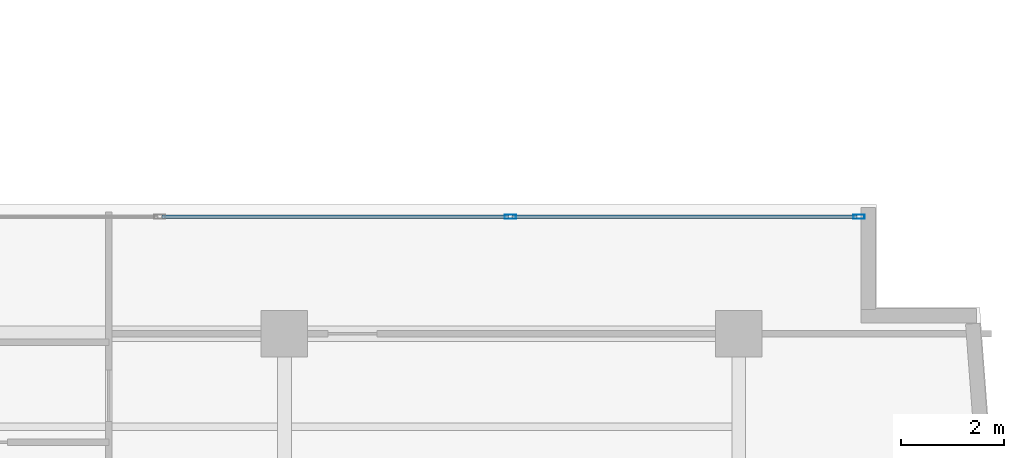
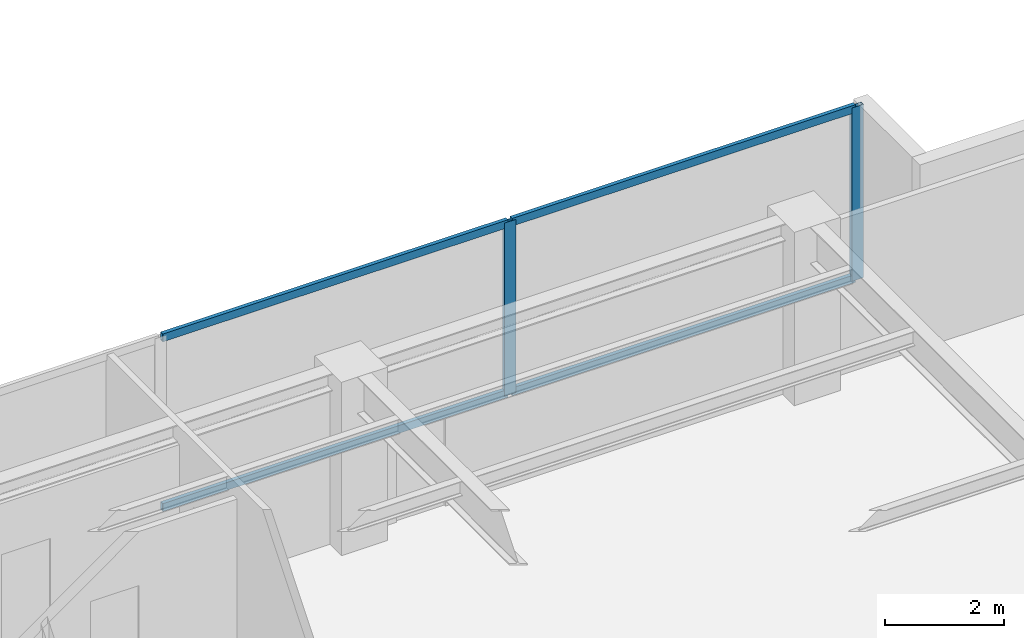
# One storey, part 12 of 23: 6 members, 1 element without a shape of its own.
"""IFC4 building model written with IfcOpenShell, lengths in metres."""

from ifc_helpers import new_model, si_unit, direction, frame, origin, origin_with_axes, origin_2d, place, context, subcontext, project, spatial, hollow_rectangle, extrude, source, transform, mapped, material, layer, layer_set, material_profile, profile_set, type_object, element, aggregate, save


model = new_model("IFC4")

# Units and contexts
model_context = context("Model", 3, precision=1e-05, world=origin(), true_north=direction((0.0, 1.0)))
body_context = subcontext(model_context, "Body", "Model", "MODEL_VIEW")
ifc_project = project(units=[si_unit("LENGTHUNIT", "METRE"), si_unit("AREAUNIT", "SQUARE_METRE"), si_unit("VOLUMEUNIT", "CUBIC_METRE"), si_unit("PLANEANGLEUNIT", "RADIAN"), si_unit("MASSUNIT", "GRAM", prefix="KILO")], contexts=[model_context])

# Site, building, storey
site_placement = place(None, origin())
site = spatial("IfcSite", under=ifc_project, at=site_placement, CompositionType="ELEMENT")
building_placement = place(site_placement, origin())
building = spatial("IfcBuilding", under=site, at=building_placement, Name="Kolvaren Waterfront Exchange", CompositionType="ELEMENT")
storey_placement = place(building_placement, frame((0.0, 0.0, 297.0)))
storey = spatial("IfcBuildingStorey", under=building, at=storey_placement, Name="L76", CompositionType="ELEMENT", Elevation=297.0)

# Curtain wall, members
ifc_material_1 = material(Name="Anodised bronze aluminium 6063-T6", Category="aluminium")
ifc_layer = layer(ifc_material_1, 0.219970703125, Name="Anodised bronze aluminium 6063-T6")
ifc_layer_set = layer_set([ifc_layer], Name="Anodised bronze aluminium 6063-T6")
curtain_wall_type = type_object("IfcCurtainWallType", Name="ARC-CW-SYS1", PredefinedType="USERDEFINED", material=ifc_layer_set)
curtain_wall_placement = place(storey_placement, origin())
curtain_wall = element("IfcCurtainWall", 1, at=curtain_wall_placement, inside=storey, type_object=curtain_wall_type, Name="L76 stick curtain wall CW1 (CW-L76-EN)", ObjectType="STICK CURTAIN WALL", PredefinedType="USERDEFINED")
ifc_material_2 = material(Name="Anodised aluminium 6063-T6", Category="aluminium")
ifc_material_profile_1 = material_profile(ifc_material_2, hollow_rectangle(XDim=0.080078125, YDim=0.219970703125, WallThickness=0.0048828125, at=origin_2d()), Name="ALU-MUL-220x80x5")
ifc_profile_set_1 = profile_set([ifc_material_profile_1], Name="Anodised aluminium 6063-T6")
member_type_1 = type_object("IfcMemberType", Name="ARC-CWM-220", PredefinedType="MULLION", material=ifc_profile_set_1)
shared_shape_1 = source(origin_with_axes(), body_context, "Body", "SweptSolid", [
    extrude(hollow_rectangle(XDim=0.080078125, YDim=0.219970703125, WallThickness=0.0048828125, at=origin_2d()), origin(), (0.0, 0.0, 1.0), 3.56005859375),
])
member_1_placement = place(storey_placement, frame((41.17724609375, 19.665283203125, 0.0), z_axis=(0.0, 0.0, 1.0), x_axis=(0.0, 1.0, 0.0)))
member_1 = element("IfcMember", 2, at=member_1_placement, type_object=member_type_1, Name="CW1 mullion 3", PredefinedType="MULLION", context=body_context, shape_type="MappedRepresentation", body=[
    mapped(shared_shape_1, transform((0.0, 0.0, 0.0), x_axis=(1.0, 0.0, 0.0), y_axis=(0.0, 1.0, 0.0), z_axis=(0.0, 0.0, 1.0), scale=1.0)),
])
member_2_placement = place(storey_placement, frame((47.928466796875, 19.665283203125, 0.0), z_axis=(0.0, 0.0, 1.0), x_axis=(0.0, 1.0, 0.0)))
member_2 = element("IfcMember", 3, at=member_2_placement, type_object=member_type_1, Name="CW1 mullion 4", PredefinedType="MULLION", context=body_context, shape_type="MappedRepresentation", body=[
    mapped(shared_shape_1, transform((0.0, 0.0, 0.0), x_axis=(1.0, 0.0, 0.0), y_axis=(0.0, 1.0, 0.0), z_axis=(0.0, 0.0, 1.0), scale=1.0)),
])
ifc_material_profile_2 = material_profile(ifc_material_2, hollow_rectangle(XDim=0.074951171875, YDim=0.159912109375, WallThickness=0.00439453125, at=origin_2d()), Name="ALU-TRN-160x75x4.5")
ifc_profile_set_2 = profile_set([ifc_material_profile_2], Name="Anodised aluminium 6063-T6")
member_type_2 = type_object("IfcMemberType", Name="ARC-CWT-160", PredefinedType="USERDEFINED", material=ifc_profile_set_2)
shared_shape_2 = source(origin_with_axes(), body_context, "Body", "SweptSolid", [
    extrude(hollow_rectangle(XDim=0.074951171875, YDim=0.159912109375, WallThickness=0.00439453125, at=origin_2d()), origin(), (0.0, 0.0, 1.0), 6.671142578125),
])
member_3_placement = place(storey_placement, frame((41.21728515625, 19.665283203125, 0.03759765625), z_axis=(1.0, 0.0, 0.0), x_axis=(0.0, 1.0, 0.0)))
member_3 = element("IfcMember", 4, at=member_3_placement, type_object=member_type_2, Name="CW1 transom 3.1", ObjectType="TRANSOM", PredefinedType="USERDEFINED", context=body_context, shape_type="MappedRepresentation", body=[
    mapped(shared_shape_2, transform((0.0, 0.0, 0.0), x_axis=(1.0, 0.0, 0.0), y_axis=(0.0, 1.0, 0.0), z_axis=(0.0, 0.0, 1.0), scale=1.0)),
])
member_4_placement = place(storey_placement, frame((41.21728515625, 19.665283203125, 3.5224609375), z_axis=(1.0, 0.0, 0.0), x_axis=(0.0, 1.0, 0.0)))
member_4 = element("IfcMember", 5, at=member_4_placement, type_object=member_type_2, Name="CW1 transom 3.2", ObjectType="TRANSOM", PredefinedType="USERDEFINED", context=body_context, shape_type="MappedRepresentation", body=[
    mapped(shared_shape_2, transform((0.0, 0.0, 0.0), x_axis=(1.0, 0.0, 0.0), y_axis=(0.0, 1.0, 0.0), z_axis=(0.0, 0.0, 1.0), scale=1.0)),
])
shared_shape_3 = source(origin_with_axes(), body_context, "Body", "SweptSolid", [
    extrude(hollow_rectangle(XDim=0.074951171875, YDim=0.159912109375, WallThickness=0.00439453125, at=origin_2d()), origin(), (0.0, 0.0, 1.0), 6.711181640625),
])
member_5_placement = place(storey_placement, frame((34.42626953125, 19.665283203125, 0.03759765625), z_axis=(1.0, 0.0, 0.0), x_axis=(0.0, 1.0, 0.0)))
member_5 = element("IfcMember", 6, at=member_5_placement, type_object=member_type_2, Name="CW1 transom 2.1", ObjectType="TRANSOM", PredefinedType="USERDEFINED", context=body_context, shape_type="MappedRepresentation", body=[
    mapped(shared_shape_3, transform((0.0, 0.0, 0.0), x_axis=(1.0, 0.0, 0.0), y_axis=(0.0, 1.0, 0.0), z_axis=(0.0, 0.0, 1.0), scale=1.0)),
])
member_6_placement = place(storey_placement, frame((34.42626953125, 19.665283203125, 3.5224609375), z_axis=(1.0, 0.0, 0.0), x_axis=(0.0, 1.0, 0.0)))
member_6 = element("IfcMember", 7, at=member_6_placement, type_object=member_type_2, Name="CW1 transom 2.2", ObjectType="TRANSOM", PredefinedType="USERDEFINED", context=body_context, shape_type="MappedRepresentation", body=[
    mapped(shared_shape_3, transform((0.0, 0.0, 0.0), x_axis=(1.0, 0.0, 0.0), y_axis=(0.0, 1.0, 0.0), z_axis=(0.0, 0.0, 1.0), scale=1.0)),
])
aggregate(curtain_wall, [member_1, member_2, member_5, member_6, member_3, member_4])

save(model, "model.ifc")
